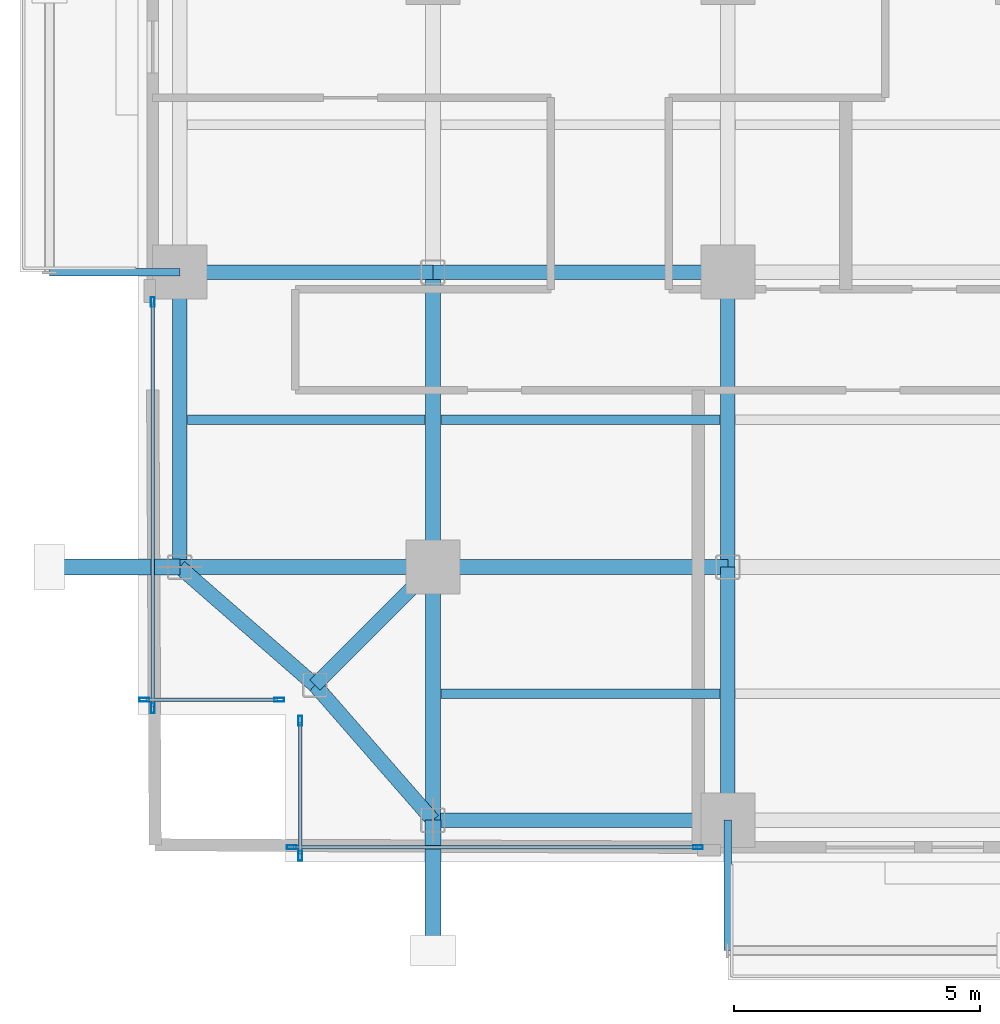
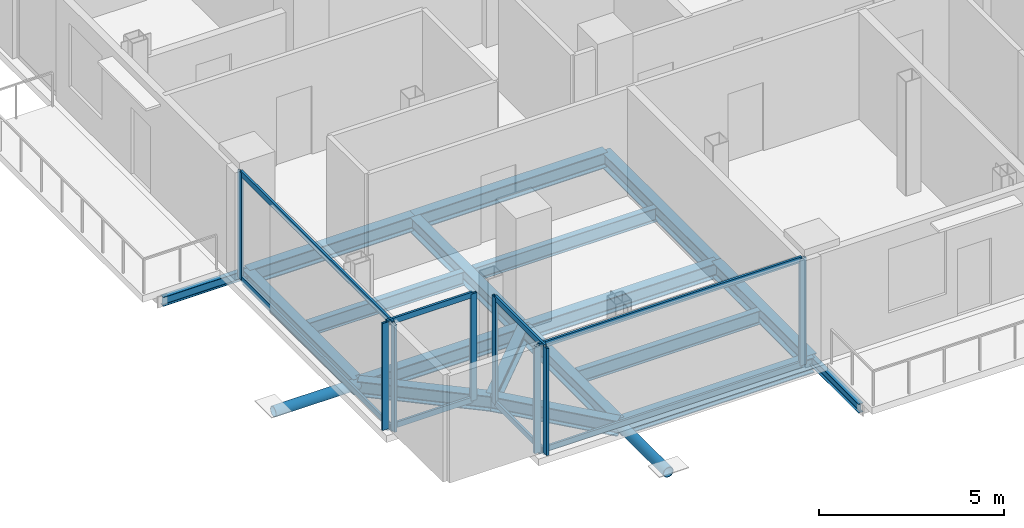
# One storey, part 2 of 24: 18 beams, 18 members, 4 elements without a shape of their own.
"""IFC4 building model written with IfcOpenShell, lengths in metres."""

from ifc_helpers import new_model, si_unit, direction, frame, origin, origin_2d, place, context, subcontext, project, spatial, hollow_rectangle, hollow_circle, i_section, extrude, material, layer, layer_set, material_profile, profile_set, type_object, element, aggregate, save


model = new_model("IFC4")

# Units and contexts
model_context = context("Model", 3, precision=1e-05, world=origin(), true_north=direction((0.0, 1.0)))
body_context = subcontext(model_context, "Body", "Model", "MODEL_VIEW")
ifc_project = project(units=[si_unit("LENGTHUNIT", "METRE"), si_unit("AREAUNIT", "SQUARE_METRE"), si_unit("VOLUMEUNIT", "CUBIC_METRE"), si_unit("PLANEANGLEUNIT", "RADIAN"), si_unit("MASSUNIT", "GRAM", prefix="KILO"), si_unit("THERMODYNAMICTEMPERATUREUNIT", "KELVIN"), si_unit("POWERUNIT", "WATT")], contexts=[model_context])

# Site, building, storey
site_placement = place(None, origin())
site = spatial("IfcSite", under=ifc_project, at=site_placement, CompositionType="ELEMENT")
building_placement = place(site_placement, origin())
building = spatial("IfcBuilding", under=site, at=building_placement, Name="Svarakhadi Broadcast Tower", CompositionType="ELEMENT")
storey_placement = place(building_placement, frame((0.0, 0.0, 126.89990234375)))
storey = spatial("IfcBuildingStorey", under=building, at=storey_placement, Name="L30", CompositionType="ELEMENT", Elevation=126.89990234375)

# Beams
ifc_material_1 = material(Name="Steel S355J2 (IS 2062 E350C)", Category="steel")
ifc_material_profile_1 = material_profile(ifc_material_1, i_section(OverallWidth=0.18994140625, OverallDepth=0.449951171875, WebThickness=0.009521484375, FlangeThickness=0.0146484375, FilletRadius=0.02099609375, at=origin_2d()), Name="NPB 450x190x78")
ifc_profile_set_1 = profile_set([ifc_material_profile_1], Name="Steel S355J2 (IS 2062 E350C)")
beam_type_1 = type_object("IfcBeamType", Name="Beam_NPB450", PredefinedType="BEAM", material=ifc_profile_set_1)
beam_1_placement = place(storey_placement, frame((1.010009765625, 9.0, -0.449951171875), z_axis=(1.0, 0.0, 0.0), x_axis=(0.0, 1.0, 0.0)))
element("IfcBeam", 1, at=beam_1_placement, inside=storey, type_object=beam_type_1, Name="L30 Secondary Composite Beam SB001", PredefinedType="BEAM", context=body_context, shape_type="SweptSolid", body=[
    extrude(i_section(OverallWidth=0.18994140625, OverallDepth=0.449951171875, WebThickness=0.009521484375, FlangeThickness=0.0146484375, FilletRadius=0.02099609375, at=origin_2d()), origin(), (0.0, 0.0, 1.0), 4.830078125),
])
for number, where, z_axis, x_axis, name in (
    (2, (6.159912109375, 3.425048828125, -0.449951171875), (1.0, 0.0, 0.0), (0.0, 1.0, 0.0), "L30 Secondary Composite Beam SB006"),
    (3, (6.159912109375, 9.0, -0.449951171875), (1.0, 0.0, 0.0), (0.0, 1.0, 0.0), "L30 Secondary Composite Beam SB007"),
):
    element("IfcBeam", number, at=place(storey_placement, frame(where, z_axis=z_axis, x_axis=x_axis)), inside=storey, type_object=beam_type_1, Name=name, PredefinedType="BEAM", context=body_context, shape_type="SweptSolid", body=[
        extrude(i_section(OverallWidth=0.18994140625, OverallDepth=0.449951171875, WebThickness=0.009521484375, FlangeThickness=0.0146484375, FilletRadius=0.02099609375, at=origin_2d()), origin(), (0.0, 0.0, 1.0), 5.68017578125),
    ])

# Curtain wall, members
ifc_material_2 = material(Name="Anodised Bronze Aluminium AA 6063-T6", Category="aluminium")
ifc_layer = layer(ifc_material_2, 0.199951171875)
ifc_layer_set = layer_set([ifc_layer], Name="Anodised Bronze Aluminium AA 6063-T6")
curtain_wall_type = type_object("IfcCurtainWallType", Name="CW_Sys_03", PredefinedType="NOTDEFINED", material=ifc_layer_set)
curtain_wall_1_placement = place(storey_placement, origin())
curtain_wall_1 = element("IfcCurtainWall", 4, at=curtain_wall_1_placement, inside=storey, type_object=curtain_wall_type, Name="L30 Unitised Facade Curtain Wall 01", PredefinedType="NOTDEFINED")
ifc_material_profile_2 = material_profile(ifc_material_2, hollow_rectangle(XDim=0.074951171875, YDim=0.199951171875, WallThickness=0.005615234375, at=origin_2d()), Name="ALU MULLION 200x75x6")
ifc_profile_set_2 = profile_set([ifc_material_profile_2], Name="Anodised Bronze Aluminium AA 6063-T6")
member_type_1 = type_object("IfcMemberType", Name="CW_Sys_03_Mul", PredefinedType="MULLION", material=ifc_profile_set_2)
member_1_placement = place(storey_placement, frame((2.87255859375, 3.300048828125, 0.0), z_axis=(0.0, 0.0, 1.0), x_axis=(0.0, -1.0, 0.0)))
member_1 = element("IfcMember", 5, at=member_1_placement, type_object=member_type_1, Name="CW-03 mullion 1", PredefinedType="MULLION", context=body_context, shape_type="SweptSolid", body=[
    extrude(hollow_rectangle(XDim=0.074951171875, YDim=0.199951171875, WallThickness=0.005615234375, at=origin_2d()), origin(), (0.0, 0.0, 1.0), 3.525146484375),
])
member_2_placement = place(storey_placement, frame((0.12744140625, 3.300048828125, 0.0), z_axis=(0.0, 0.0, 1.0), x_axis=(0.0, -1.0, 0.0)))
member_2 = element("IfcMember", 6, at=member_2_placement, type_object=member_type_1, Name="CW-03 mullion 2", PredefinedType="MULLION", context=body_context, shape_type="SweptSolid", body=[
    extrude(hollow_rectangle(XDim=0.074951171875, YDim=0.199951171875, WallThickness=0.005615234375, at=origin_2d()), origin(), (0.0, 0.0, 1.0), 3.525146484375),
])

curtain_wall_2_placement = place(storey_placement, origin())
curtain_wall_2 = element("IfcCurtainWall", 7, at=curtain_wall_2_placement, inside=storey, type_object=curtain_wall_type, Name="L30 West Curtain Wall 02", PredefinedType="NOTDEFINED")
member_3_placement = place(storey_placement, frame((0.300048828125, 3.12744140625, 0.0), z_axis=(0.0, 0.0, 1.0), x_axis=(-1.0, 0.0, 0.0)))
member_3 = element("IfcMember", 8, at=member_3_placement, type_object=member_type_1, Name="CW-03 mullion 1", PredefinedType="MULLION", context=body_context, shape_type="SweptSolid", body=[
    extrude(hollow_rectangle(XDim=0.074951171875, YDim=0.199951171875, WallThickness=0.005615234375, at=origin_2d()), origin(), (0.0, 0.0, 1.0), 3.525146484375),
])
member_4_placement = place(storey_placement, frame((0.300048828125, 11.392578125, 0.0), z_axis=(0.0, 0.0, 1.0), x_axis=(-1.0, 0.0, 0.0)))
member_4 = element("IfcMember", 9, at=member_4_placement, type_object=member_type_1, Name="CW-03 mullion 2", PredefinedType="MULLION", context=body_context, shape_type="SweptSolid", body=[
    extrude(hollow_rectangle(XDim=0.074951171875, YDim=0.199951171875, WallThickness=0.005615234375, at=origin_2d()), origin(), (0.0, 0.0, 1.0), 3.525146484375),
])

curtain_wall_3_placement = place(storey_placement, origin())
curtain_wall_3 = element("IfcCurtainWall", 10, at=curtain_wall_3_placement, inside=storey, type_object=curtain_wall_type, Name="L30 South Curtain Wall 17", PredefinedType="NOTDEFINED")
member_5_placement = place(storey_placement, frame((11.392578125, 0.300048828125, 0.0), z_axis=(0.0, 0.0, 1.0), x_axis=(0.0, -1.0, 0.0)))
member_5 = element("IfcMember", 11, at=member_5_placement, type_object=member_type_1, Name="CW-03 mullion 1", PredefinedType="MULLION", context=body_context, shape_type="SweptSolid", body=[
    extrude(hollow_rectangle(XDim=0.074951171875, YDim=0.199951171875, WallThickness=0.005615234375, at=origin_2d()), origin(), (0.0, 0.0, 1.0), 3.525146484375),
])
member_6_placement = place(storey_placement, frame((3.12744140625, 0.300048828125, 0.0), z_axis=(0.0, 0.0, 1.0), x_axis=(0.0, -1.0, 0.0)))
member_6 = element("IfcMember", 12, at=member_6_placement, type_object=member_type_1, Name="CW-03 mullion 2", PredefinedType="MULLION", context=body_context, shape_type="SweptSolid", body=[
    extrude(hollow_rectangle(XDim=0.074951171875, YDim=0.199951171875, WallThickness=0.005615234375, at=origin_2d()), origin(), (0.0, 0.0, 1.0), 3.525146484375),
])

curtain_wall_4_placement = place(storey_placement, origin())
curtain_wall_4 = element("IfcCurtainWall", 13, at=curtain_wall_4_placement, inside=storey, type_object=curtain_wall_type, Name="L30 Unitised Facade Curtain Wall 18", PredefinedType="NOTDEFINED")
member_7_placement = place(storey_placement, frame((3.300048828125, 0.12744140625, 0.0), z_axis=(0.0, 0.0, 1.0), x_axis=(-1.0, 0.0, 0.0)))
member_7 = element("IfcMember", 14, at=member_7_placement, type_object=member_type_1, Name="CW-03 mullion 1", PredefinedType="MULLION", context=body_context, shape_type="SweptSolid", body=[
    extrude(hollow_rectangle(XDim=0.074951171875, YDim=0.199951171875, WallThickness=0.005615234375, at=origin_2d()), origin(), (0.0, 0.0, 1.0), 3.525146484375),
])
member_8_placement = place(storey_placement, frame((3.300048828125, 2.87255859375, 0.0), z_axis=(0.0, 0.0, 1.0), x_axis=(-1.0, 0.0, 0.0)))
member_8 = element("IfcMember", 15, at=member_8_placement, type_object=member_type_1, Name="CW-03 mullion 2", PredefinedType="MULLION", context=body_context, shape_type="SweptSolid", body=[
    extrude(hollow_rectangle(XDim=0.074951171875, YDim=0.199951171875, WallThickness=0.005615234375, at=origin_2d()), origin(), (0.0, 0.0, 1.0), 3.525146484375),
])

# Member
ifc_material_profile_3 = material_profile(ifc_material_2, hollow_rectangle(XDim=0.070068359375, YDim=0.18505859375, WallThickness=0.0048828125, at=origin_2d()), Name="ALU TRANSOM 185x70x5")
ifc_profile_set_3 = profile_set([ifc_material_profile_3], Name="Anodised Bronze Aluminium AA 6063-T6")
member_type_2 = type_object("IfcMemberType", Name="CW_Sys_03_Trn", PredefinedType="USERDEFINED", material=ifc_profile_set_3)
member_9_placement = place(storey_placement, frame((2.8349609375, 3.300048828125, 0.03515625), z_axis=(-1.0, 0.0, 0.0), x_axis=(0.0, -1.0, 0.0)))
member_9 = element("IfcMember", 16, at=member_9_placement, type_object=member_type_2, Name="CW-03 transom 1.1", ObjectType="TRANSOM", PredefinedType="USERDEFINED", context=body_context, shape_type="SweptSolid", body=[
    extrude(hollow_rectangle(XDim=0.070068359375, YDim=0.18505859375, WallThickness=0.0048828125, at=origin_2d()), origin(), (0.0, 0.0, 1.0), 2.669921875),
])

member_10_placement = place(storey_placement, frame((2.8349609375, 3.300048828125, 3.489990234375), z_axis=(-1.0, 0.0, 0.0), x_axis=(0.0, -1.0, 0.0)))
member_10 = element("IfcMember", 17, at=member_10_placement, type_object=member_type_2, Name="CW-03 transom 1.2", ObjectType="TRANSOM", PredefinedType="USERDEFINED", context=body_context, shape_type="SweptSolid", body=[
    extrude(hollow_rectangle(XDim=0.070068359375, YDim=0.18505859375, WallThickness=0.0048828125, at=origin_2d()), origin(), (0.0, 0.0, 1.0), 2.669921875),
])

aggregate(curtain_wall_1, [member_1, member_2, member_9, member_10])

member_11_placement = place(storey_placement, frame((0.300048828125, 3.1650390625, 0.03515625), z_axis=(0.0, 1.0, 0.0), x_axis=(-1.0, 0.0, 0.0)))
member_11 = element("IfcMember", 18, at=member_11_placement, type_object=member_type_2, Name="CW-03 transom 1.1", ObjectType="TRANSOM", PredefinedType="USERDEFINED", context=body_context, shape_type="SweptSolid", body=[
    extrude(hollow_rectangle(XDim=0.070068359375, YDim=0.18505859375, WallThickness=0.0048828125, at=origin_2d()), origin(), (0.0, 0.0, 1.0), 8.18994140625),
])

member_12_placement = place(storey_placement, frame((0.300048828125, 3.1650390625, 3.489990234375), z_axis=(0.0, 1.0, 0.0), x_axis=(-1.0, 0.0, 0.0)))
member_12 = element("IfcMember", 19, at=member_12_placement, type_object=member_type_2, Name="CW-03 transom 1.2", ObjectType="TRANSOM", PredefinedType="USERDEFINED", context=body_context, shape_type="SweptSolid", body=[
    extrude(hollow_rectangle(XDim=0.070068359375, YDim=0.18505859375, WallThickness=0.0048828125, at=origin_2d()), origin(), (0.0, 0.0, 1.0), 8.18994140625),
])

aggregate(curtain_wall_2, [member_3, member_4, member_11, member_12])

member_13_placement = place(storey_placement, frame((11.35498046875, 0.300048828125, 0.03515625), z_axis=(-1.0, 0.0, 0.0), x_axis=(0.0, -1.0, 0.0)))
member_13 = element("IfcMember", 20, at=member_13_placement, type_object=member_type_2, Name="CW-03 transom 1.1", ObjectType="TRANSOM", PredefinedType="USERDEFINED", context=body_context, shape_type="SweptSolid", body=[
    extrude(hollow_rectangle(XDim=0.070068359375, YDim=0.18505859375, WallThickness=0.0048828125, at=origin_2d()), origin(), (0.0, 0.0, 1.0), 8.18994140625),
])

member_14_placement = place(storey_placement, frame((11.35498046875, 0.300048828125, 3.489990234375), z_axis=(-1.0, 0.0, 0.0), x_axis=(0.0, -1.0, 0.0)))
member_14 = element("IfcMember", 21, at=member_14_placement, type_object=member_type_2, Name="CW-03 transom 1.2", ObjectType="TRANSOM", PredefinedType="USERDEFINED", context=body_context, shape_type="SweptSolid", body=[
    extrude(hollow_rectangle(XDim=0.070068359375, YDim=0.18505859375, WallThickness=0.0048828125, at=origin_2d()), origin(), (0.0, 0.0, 1.0), 8.18994140625),
])

aggregate(curtain_wall_3, [member_5, member_6, member_13, member_14])

member_15_placement = place(storey_placement, frame((3.300048828125, 0.1650390625, 0.03515625), z_axis=(0.0, 1.0, 0.0), x_axis=(-1.0, 0.0, 0.0)))
member_15 = element("IfcMember", 22, at=member_15_placement, type_object=member_type_2, Name="CW-03 transom 1.1", ObjectType="TRANSOM", PredefinedType="USERDEFINED", context=body_context, shape_type="SweptSolid", body=[
    extrude(hollow_rectangle(XDim=0.070068359375, YDim=0.18505859375, WallThickness=0.0048828125, at=origin_2d()), origin(), (0.0, 0.0, 1.0), 2.669921875),
])

member_16_placement = place(storey_placement, frame((3.300048828125, 0.1650390625, 3.489990234375), z_axis=(0.0, 1.0, 0.0), x_axis=(-1.0, 0.0, 0.0)))
member_16 = element("IfcMember", 23, at=member_16_placement, type_object=member_type_2, Name="CW-03 transom 1.2", ObjectType="TRANSOM", PredefinedType="USERDEFINED", context=body_context, shape_type="SweptSolid", body=[
    extrude(hollow_rectangle(XDim=0.070068359375, YDim=0.18505859375, WallThickness=0.0048828125, at=origin_2d()), origin(), (0.0, 0.0, 1.0), 2.669921875),
])

aggregate(curtain_wall_4, [member_7, member_8, member_15, member_16])

# Members
ifc_material_3 = material(Name="Steel S460ML (IS 2062 E450BR)", Category="steel")
ifc_material_profile_4 = material_profile(ifc_material_3, hollow_circle(Radius=0.161865234375, WallThickness=0.01611328125, at=origin_2d()), Name="CHS 323.9x16")
ifc_profile_set_4 = profile_set([ifc_material_profile_4], Name="Steel S460ML (IS 2062 E450BR)")
member_type_3 = type_object("IfcMemberType", Name="Exo_Radial_Strut_Z2", PredefinedType="STRUT", material=ifc_profile_set_4)
for number, where, z_axis, x_axis, name in (
    (24, (6.0, -1.800048828125, -0.386962890625), (0.0, 1.0, 0.0), (-1.0, 0.0, 0.0), "L30 Exoskeleton Radial Tie Strut S01"),
    (25, (-1.800048828125, 6.0, -0.386962890625), (1.0, 0.0, 0.0), (0.0, 1.0, 0.0), "L30 Exoskeleton Radial Tie Strut W05"),
):
    element("IfcMember", number, at=place(storey_placement, frame(where, z_axis=z_axis, x_axis=x_axis)), inside=storey, type_object=member_type_3, Name=name, PredefinedType="STRUT", context=body_context, shape_type="SweptSolid", body=[
        extrude(hollow_circle(Radius=0.161865234375, WallThickness=0.01611328125, at=origin_2d()), origin(), (0.0, 0.0, 1.0), 2.650146484375),
    ])

# Beams
ifc_material_profile_5 = material_profile(ifc_material_1, i_section(OverallWidth=0.300048828125, OverallDepth=0.5, WebThickness=0.014404296875, FlangeThickness=0.028076171875, FilletRadius=0.027099609375, at=origin_2d()), Name="WPB 500x300x187")
ifc_profile_set_5 = profile_set([ifc_material_profile_5], Name="Steel S355J2 (IS 2062 E350C)")
beam_type_2 = type_object("IfcBeamType", Name="Girder_WPB500", PredefinedType="USERDEFINED", material=ifc_profile_set_5)
beam_2_placement = place(storey_placement, frame((3.60009765625, 3.60009765625, -0.474853515625), z_axis=(0.707106781187, 0.707106781187, 0.0), x_axis=(-0.707106781187, 0.707106781187, 0.0)))
element("IfcBeam", 26, at=beam_2_placement, inside=storey, type_object=beam_type_2, Name="L30 Corner Tie Girder G001", ObjectType="GIRDER", PredefinedType="USERDEFINED", context=body_context, shape_type="SweptSolid", body=[
    extrude(i_section(OverallWidth=0.300048828125, OverallDepth=0.5, WebThickness=0.014404296875, FlangeThickness=0.028076171875, FilletRadius=0.027099609375, at=origin_2d()), origin(), (0.0, 0.0, 1.0), 3.39404296875),
])
for number, where, z_axis, x_axis, name in (
    (27, (3.60009765625, 3.60009765625, -0.474853515625), (-0.753437912176, 0.657519058655, 0.0), (-0.657519058655, -0.753437912176, 0.0), "L30 Corner Tie Girder G002"),
    (28, (3.60009765625, 3.60009765625, -0.474853515625), (0.657519058655, -0.753437912176, 0.0), (0.753437912176, 0.657519058655, 0.0), "L30 Corner Tie Girder G003"),
):
    element("IfcBeam", number, at=place(storey_placement, frame(where, z_axis=z_axis, x_axis=x_axis)), inside=storey, type_object=beam_type_2, Name=name, ObjectType="GIRDER", PredefinedType="USERDEFINED", context=body_context, shape_type="SweptSolid", body=[
        extrude(i_section(OverallWidth=0.300048828125, OverallDepth=0.5, WebThickness=0.014404296875, FlangeThickness=0.028076171875, FilletRadius=0.027099609375, at=origin_2d()), origin(), (0.0, 0.0, 1.0), 3.64990234375),
    ])
beam_3_placement = place(storey_placement, frame((6.0, 0.85009765625, -0.474853515625), z_axis=(1.0, 0.0, 0.0), x_axis=(0.0, 1.0, 0.0)))
element("IfcBeam", 29, at=beam_3_placement, inside=storey, type_object=beam_type_2, Name="L30 Primary E-W Girder G004", ObjectType="GIRDER", PredefinedType="USERDEFINED", context=body_context, shape_type="SweptSolid", body=[
    extrude(i_section(OverallWidth=0.300048828125, OverallDepth=0.5, WebThickness=0.014404296875, FlangeThickness=0.028076171875, FilletRadius=0.027099609375, at=origin_2d()), origin(), (0.0, 0.0, 1.0), 6.0),
])
beam_4_placement = place(storey_placement, frame((0.85009765625, 6.0, -0.474853515625), z_axis=(1.0, 0.0, 0.0), x_axis=(0.0, 1.0, 0.0)))
element("IfcBeam", 30, at=beam_4_placement, inside=storey, type_object=beam_type_2, Name="L30 Primary E-W Girder G010", ObjectType="GIRDER", PredefinedType="USERDEFINED", context=body_context, shape_type="SweptSolid", body=[
    extrude(i_section(OverallWidth=0.300048828125, OverallDepth=0.5, WebThickness=0.014404296875, FlangeThickness=0.028076171875, FilletRadius=0.027099609375, at=origin_2d()), origin(), (0.0, 0.0, 1.0), 5.14990234375),
])
beam_5_placement = place(storey_placement, frame((6.0, 6.0, -0.474853515625), z_axis=(1.0, 0.0, 0.0), x_axis=(0.0, 1.0, 0.0)))
element("IfcBeam", 31, at=beam_5_placement, inside=storey, type_object=beam_type_2, Name="L30 Primary E-W Girder G011", ObjectType="GIRDER", PredefinedType="USERDEFINED", context=body_context, shape_type="SweptSolid", body=[
    extrude(i_section(OverallWidth=0.300048828125, OverallDepth=0.5, WebThickness=0.014404296875, FlangeThickness=0.028076171875, FilletRadius=0.027099609375, at=origin_2d()), origin(), (0.0, 0.0, 1.0), 6.0),
])
beam_6_placement = place(storey_placement, frame((0.85009765625, 12.0, -0.474853515625), z_axis=(1.0, 0.0, 0.0), x_axis=(0.0, 1.0, 0.0)))
element("IfcBeam", 32, at=beam_6_placement, inside=storey, type_object=beam_type_2, Name="L30 Primary E-W Girder G017", ObjectType="GIRDER", PredefinedType="USERDEFINED", context=body_context, shape_type="SweptSolid", body=[
    extrude(i_section(OverallWidth=0.300048828125, OverallDepth=0.5, WebThickness=0.014404296875, FlangeThickness=0.028076171875, FilletRadius=0.027099609375, at=origin_2d()), origin(), (0.0, 0.0, 1.0), 5.14990234375),
])
for number, where, z_axis, x_axis, name in (
    (33, (6.0, 12.0, -0.474853515625), (1.0, 0.0, 0.0), (0.0, 1.0, 0.0), "L30 Primary E-W Girder G018"),
    (34, (0.85009765625, 6.0, -0.474853515625), (0.0, 1.0, 0.0), (-1.0, 0.0, 0.0), "L30 Primary N-S Girder G040"),
):
    element("IfcBeam", number, at=place(storey_placement, frame(where, z_axis=z_axis, x_axis=x_axis)), inside=storey, type_object=beam_type_2, Name=name, ObjectType="GIRDER", PredefinedType="USERDEFINED", context=body_context, shape_type="SweptSolid", body=[
        extrude(i_section(OverallWidth=0.300048828125, OverallDepth=0.5, WebThickness=0.014404296875, FlangeThickness=0.028076171875, FilletRadius=0.027099609375, at=origin_2d()), origin(), (0.0, 0.0, 1.0), 6.0),
    ])
beam_7_placement = place(storey_placement, frame((6.0, 0.85009765625, -0.474853515625), z_axis=(0.0, 1.0, 0.0), x_axis=(-1.0, 0.0, 0.0)))
element("IfcBeam", 35, at=beam_7_placement, inside=storey, type_object=beam_type_2, Name="L30 Primary N-S Girder G045", ObjectType="GIRDER", PredefinedType="USERDEFINED", context=body_context, shape_type="SweptSolid", body=[
    extrude(i_section(OverallWidth=0.300048828125, OverallDepth=0.5, WebThickness=0.014404296875, FlangeThickness=0.028076171875, FilletRadius=0.027099609375, at=origin_2d()), origin(), (0.0, 0.0, 1.0), 5.14990234375),
])
beam_8_placement = place(storey_placement, frame((6.0, 6.0, -0.474853515625), z_axis=(0.0, 1.0, 0.0), x_axis=(-1.0, 0.0, 0.0)))
element("IfcBeam", 36, at=beam_8_placement, inside=storey, type_object=beam_type_2, Name="L30 Primary N-S Girder G046", ObjectType="GIRDER", PredefinedType="USERDEFINED", context=body_context, shape_type="SweptSolid", body=[
    extrude(i_section(OverallWidth=0.300048828125, OverallDepth=0.5, WebThickness=0.014404296875, FlangeThickness=0.028076171875, FilletRadius=0.027099609375, at=origin_2d()), origin(), (0.0, 0.0, 1.0), 6.0),
])
beam_9_placement = place(storey_placement, frame((12.0, 0.85009765625, -0.474853515625), z_axis=(0.0, 1.0, 0.0), x_axis=(-1.0, 0.0, 0.0)))
element("IfcBeam", 37, at=beam_9_placement, inside=storey, type_object=beam_type_2, Name="L30 Primary N-S Girder G051", ObjectType="GIRDER", PredefinedType="USERDEFINED", context=body_context, shape_type="SweptSolid", body=[
    extrude(i_section(OverallWidth=0.300048828125, OverallDepth=0.5, WebThickness=0.014404296875, FlangeThickness=0.028076171875, FilletRadius=0.027099609375, at=origin_2d()), origin(), (0.0, 0.0, 1.0), 5.14990234375),
])
beam_10_placement = place(storey_placement, frame((12.0, 6.0, -0.474853515625), z_axis=(0.0, 1.0, 0.0), x_axis=(-1.0, 0.0, 0.0)))
element("IfcBeam", 38, at=beam_10_placement, inside=storey, type_object=beam_type_2, Name="L30 Primary N-S Girder G052", ObjectType="GIRDER", PredefinedType="USERDEFINED", context=body_context, shape_type="SweptSolid", body=[
    extrude(i_section(OverallWidth=0.300048828125, OverallDepth=0.5, WebThickness=0.014404296875, FlangeThickness=0.028076171875, FilletRadius=0.027099609375, at=origin_2d()), origin(), (0.0, 0.0, 1.0), 6.0),
])
ifc_material_profile_6 = material_profile(ifc_material_1, i_section(OverallWidth=0.14990234375, OverallDepth=0.300048828125, WebThickness=0.007080078125, FlangeThickness=0.0107421875, FilletRadius=0.014892578125, at=origin_2d()), Name="NPB 300x150x37")
ifc_profile_set_6 = profile_set([ifc_material_profile_6], Name="Steel S355J2 (IS 2062 E350C)")
beam_type_3 = type_object("IfcBeamType", Name="Spandrel_NPB300", PredefinedType="SPANDREL", material=ifc_profile_set_6)
for number, where, z_axis, x_axis, name in (
    (39, (12.0, 0.85009765625, -0.375), (0.0, -1.0, 0.0), (1.0, 0.0, 0.0), "L30 Balcony Cantilever Bracket 1A"),
    (40, (0.85009765625, 12.0, -0.375), (-1.0, 0.0, 0.0), (0.0, -1.0, 0.0), "L30 Balcony Cantilever Bracket 2A"),
):
    element("IfcBeam", number, at=place(storey_placement, frame(where, z_axis=z_axis, x_axis=x_axis)), inside=storey, type_object=beam_type_3, Name=name, PredefinedType="SPANDREL", context=body_context, shape_type="SweptSolid", body=[
        extrude(i_section(OverallWidth=0.14990234375, OverallDepth=0.300048828125, WebThickness=0.007080078125, FlangeThickness=0.0107421875, FilletRadius=0.014892578125, at=origin_2d()), origin(), (0.0, 0.0, 1.0), 2.650146484375),
    ])

save(model, "model.ifc")
